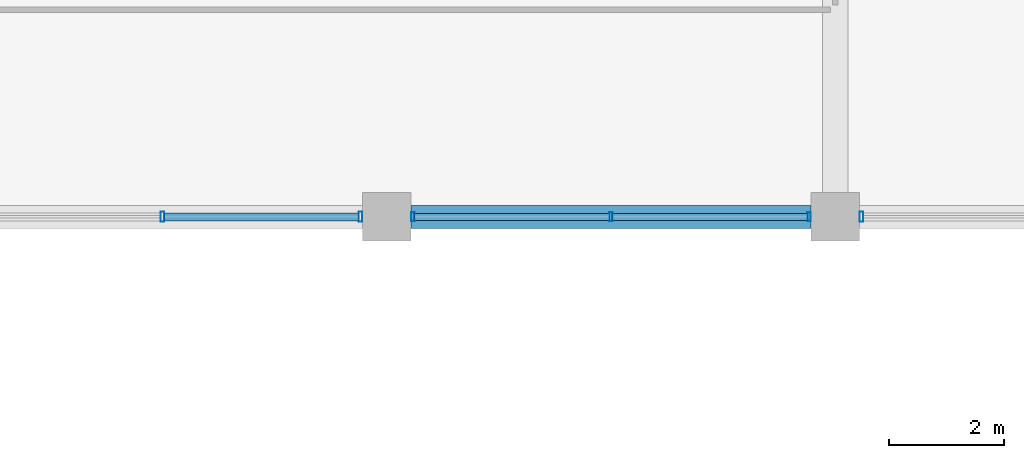
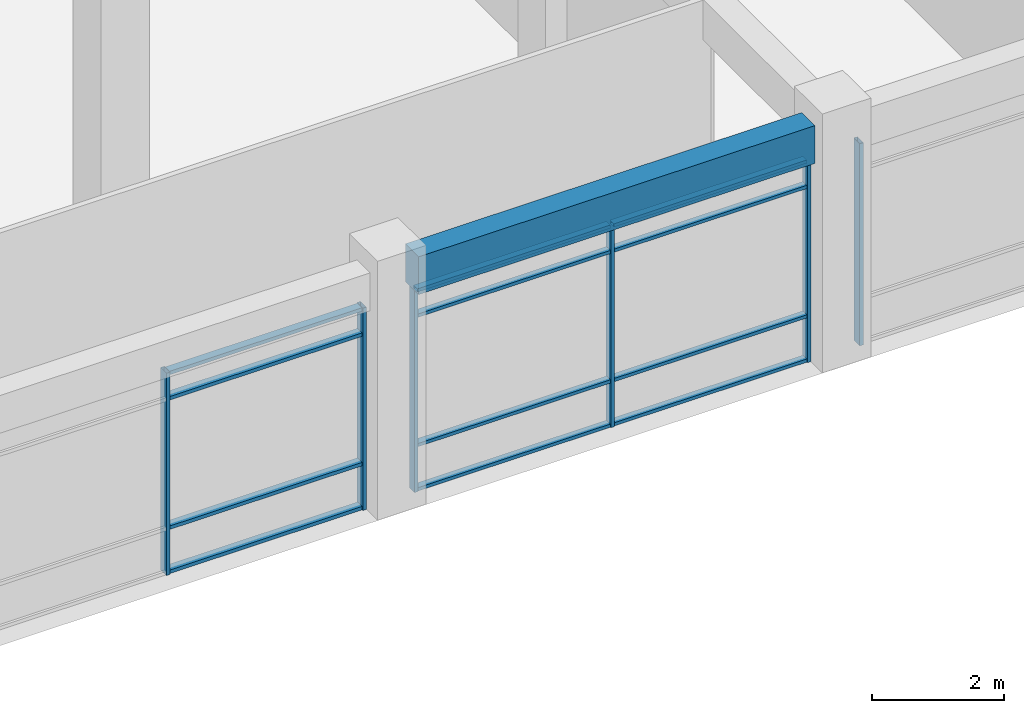
# One storey, part 27 of 79: 18 members, 1 beam, 3 elements without a shape of their own.
"""IFC4 building model written with IfcOpenShell, lengths in metres."""

import ifcopenshell
import ifcopenshell.guid

model = None  # the IFC model being written
_history = None  # IfcOwnerHistory: only IFC2X3 demands one
_inside = {}  # id of a spatial element -> (the spatial element, [elements in it])
_under = {}  # id of a project, library or spatial element -> (it, [spatial elements below it])
_declared = {}  # id of a project -> (the project, [libraries it declares])
_typed = {}  # id of a type object -> (the type object, [elements of that type])
_made_of = {}  # id of a material, layer set ... -> (it, [elements and type objects made of it])


def new_model(schema):
    """Start an empty IFC model of exactly this schema.

    Asked for "IFC4X3", IfcOpenShell would pick the latest addendum, in which some entities
    have other attributes; the version numbers below select the first issue.
    IFC2X3 requires an IfcOwnerHistory on every rooted entity: one is made here for all.
    """
    global model, _history
    if schema == "IFC4X3":
        model = ifcopenshell.file(schema_version=(4, 3, 0, 0))
    else:
        model = ifcopenshell.file(schema=schema)
    _inside.clear()
    _under.clear()
    _declared.clear()
    _typed.clear()
    _made_of.clear()
    _history = None
    if model.schema == "IFC2X3":
        org = make("IfcOrganization", Name="unknown")
        user = make(
            "IfcPersonAndOrganization",
            ThePerson=make("IfcPerson", FamilyName="unknown"),
            TheOrganization=org,
        )
        app = make(
            "IfcApplication",
            ApplicationDeveloper=org,
            Version="unknown",
            ApplicationFullName="unknown",
            ApplicationIdentifier="unknown",
        )
        _history = make(
            "IfcOwnerHistory",
            OwningUser=user,
            OwningApplication=app,
            ChangeAction="ADDED",
            CreationDate=0,
        )
    return model


def make(cls, **values):
    """One entity of the class cls with the attributes given. An attribute that is None is left unset."""
    return model.create_entity(
        cls, **{name: value for name, value in values.items() if value is not None}
    )


def rooted(cls, **values):
    """An entity with a GlobalId (a new one), such as an element, a storey or a relation."""
    return make(cls, GlobalId=ifcopenshell.guid.new(), OwnerHistory=_history, **values)


def si_unit(unit_type, name, prefix=None):
    """IfcSIUnit, for example si_unit("LENGTHUNIT", "METRE", prefix="MILLI")."""
    return make("IfcSIUnit", UnitType=unit_type, Prefix=prefix, Name=name)


def assignment(units):
    """IfcUnitAssignment: the units of a project."""
    return None if units is None else make("IfcUnitAssignment", Units=units)


def point(xyz):
    """IfcCartesianPoint."""
    return None if xyz is None else make("IfcCartesianPoint", Coordinates=xyz)


def direction(xyz):
    """IfcDirection."""
    return None if xyz is None else make("IfcDirection", DirectionRatios=xyz)


def frame(location, z_axis=None, x_axis=None):
    """IfcAxis2Placement3D, a coordinate frame: its origin and axes. An axis left out is left unset."""
    return make(
        "IfcAxis2Placement3D",
        Location=point(location),
        Axis=direction(z_axis),
        RefDirection=direction(x_axis),
    )


def frame_2d(location, x_axis=None):
    """IfcAxis2Placement2D, a coordinate frame in the plane: its origin and x axis."""
    return make(
        "IfcAxis2Placement2D", Location=point(location), RefDirection=direction(x_axis)
    )


def origin():
    """The frame at (0, 0, 0) with its axes left unset."""
    return frame((0.0, 0.0, 0.0))


def origin_2d():
    """The frame at (0, 0) in the plane with its x axis left unset."""
    return frame_2d((0.0, 0.0))


def place(relative_to, where):
    """IfcLocalPlacement: puts the frame where relative to a parent placement (None: the world)."""
    return make(
        "IfcLocalPlacement", PlacementRelTo=relative_to, RelativePlacement=where
    )


def context(
    kind, dimensions, precision=None, world=None, true_north=None, identifier=None
):
    """IfcGeometricRepresentationContext, for example the 3D "Model" context."""
    return make(
        "IfcGeometricRepresentationContext",
        ContextIdentifier=identifier,
        ContextType=kind,
        CoordinateSpaceDimension=dimensions,
        Precision=precision,
        WorldCoordinateSystem=world,
        TrueNorth=true_north,
    )


def subcontext(parent, identifier, kind, view, scale=None):
    """IfcGeometricRepresentationSubContext, for example "Body" below "Model"."""
    return make(
        "IfcGeometricRepresentationSubContext",
        ContextIdentifier=identifier,
        ContextType=kind,
        ParentContext=parent,
        TargetScale=scale,
        TargetView=view,
    )


def project(units=None, contexts=None):
    """IfcProject with its units and contexts."""
    return rooted(
        "IfcProject",
        Name="project",
        RepresentationContexts=contexts,
        UnitsInContext=assignment(units),
    )


def spatial(cls, under=None, at=None, **own):
    """A site, building, storey or space (cls), placed at a placement, below another one or the project."""
    s = rooted(cls, ObjectPlacement=at, **own)
    if under is not None:
        _under.setdefault(under.id(), (under, []))[1].append(s)
    return s


def profile(cls, at=None, kind="AREA", **sizes):
    """A parametric profile (cls). Its sizes go by their IFC names, for example OverallWidth=200.0."""
    return make(cls, ProfileType=kind, Position=at, **sizes)


def rectangle(**sizes):
    """IfcRectangleProfileDef."""
    return profile("IfcRectangleProfileDef", **sizes)


def hollow_rectangle(**sizes):
    """IfcRectangleHollowProfileDef."""
    return profile("IfcRectangleHollowProfileDef", **sizes)


def extrude(swept, where, along, depth):
    """IfcExtrudedAreaSolid: the profile swept, set in the frame where, extruded along a direction by depth."""
    return make(
        "IfcExtrudedAreaSolid",
        SweptArea=swept,
        Position=where,
        ExtrudedDirection=direction(along),
        Depth=depth,
    )


def shape(context_of_items, identifier, shape_type, items):
    """IfcShapeRepresentation: the items that make up one representation, for example the "Body"."""
    return make(
        "IfcShapeRepresentation",
        ContextOfItems=context_of_items,
        RepresentationIdentifier=identifier,
        RepresentationType=shape_type,
        Items=items,
    )


def material(Name=None, Category=None):
    """IfcMaterial."""
    return make("IfcMaterial", Name=Name, Category=Category)


def material_profile(
    of_material, cross_section, Name=None, Category=None, Priority=None
):
    """IfcMaterialProfile: a cross section and its material."""
    return make(
        "IfcMaterialProfile",
        Name=Name,
        Material=of_material,
        Profile=cross_section,
        Priority=Priority,
        Category=Category,
    )


def profile_set(profiles, Name=None, composite=None):
    """IfcMaterialProfileSet."""
    return make(
        "IfcMaterialProfileSet",
        Name=Name,
        MaterialProfiles=profiles,
        CompositeProfile=composite,
    )


def made_of(thing, what):
    """Note that an element or type object is made of a material, layer set ...; save() writes the relation."""
    if what is not None:
        _made_of.setdefault(what.id(), (what, []))[1].append(thing)
    return thing


def type_object(cls, material=None, **own):
    """A type object (cls), such as IfcWallType, which elements share."""
    return made_of(rooted(cls, **own), material)


def element(
    cls,
    number,
    at=None,
    inside=None,
    cuts=None,
    type_object=None,
    material=None,
    context=None,
    identifier="Body",
    shape_type=None,
    held_by="IfcProductDefinitionShape",
    body=None,
    shapes=None,
    **own,
):
    """One element of the class cls, such as IfcWall. Its Tag is "e" and its number.

    at: its placement. inside: the storey or other place that contains it. cuts: it is an
    opening in that element (IfcRelVoidsElement). A single representation is given by context,
    identifier, shape_type and body (its items); several are given by shapes. held_by: the class
    of the entity that holds the representations. save() writes the other relations.
    """
    e = rooted(cls, Tag="e%d" % number, ObjectPlacement=at, **own)
    if body is not None:
        shapes = [shape(context, identifier, shape_type, body)]
    if shapes is not None:
        e.Representation = make(held_by, Representations=shapes)
    if inside is not None:
        _inside.setdefault(inside.id(), (inside, []))[1].append(e)
    if cuts is not None:
        rooted(
            "IfcRelVoidsElement", RelatingBuildingElement=cuts, RelatedOpeningElement=e
        )
    if type_object is not None:
        _typed.setdefault(type_object.id(), (type_object, []))[1].append(e)
    return made_of(e, material)


def aggregate(whole, parts):
    """IfcRelAggregates: a whole, such as a stair, and the parts it consists of."""
    return rooted("IfcRelAggregates", RelatingObject=whole, RelatedObjects=parts)


def save(model, path):
    """Write the relations noted so far, then the file.

    IfcRelAggregates (storeys below a building ...), IfcRelContainedInSpatialStructure (elements
    in a storey), IfcRelDefinesByType, IfcRelAssociatesMaterial and IfcRelDeclares: one each for
    every whole, place, type object, material and project.
    """
    for whole, parts in _under.values():
        aggregate(whole, parts)
    for where, things in _inside.values():
        rooted(
            "IfcRelContainedInSpatialStructure",
            RelatedElements=things,
            RelatingStructure=where,
        )
    for kind, things in _typed.values():
        rooted("IfcRelDefinesByType", RelatedObjects=things, RelatingType=kind)
    for what, things in _made_of.values():
        rooted("IfcRelAssociatesMaterial", RelatedObjects=things, RelatingMaterial=what)
    for by, libraries in _declared.values():
        rooted("IfcRelDeclares", RelatingContext=by, RelatedDefinitions=libraries)
    model.write(path)


model = new_model("IFC4")

# Units and contexts
model_context = context("Model", 3, precision=1e-05, world=origin(), true_north=direction((0.0, 1.0)))
body_context = subcontext(model_context, "Body", "Model", "MODEL_VIEW")
ifc_project = project(units=[si_unit("LENGTHUNIT", "METRE"), si_unit("AREAUNIT", "SQUARE_METRE"), si_unit("VOLUMEUNIT", "CUBIC_METRE"), si_unit("PLANEANGLEUNIT", "RADIAN"), si_unit("MASSUNIT", "GRAM", prefix="KILO"), si_unit("THERMODYNAMICTEMPERATUREUNIT", "KELVIN"), si_unit("POWERUNIT", "WATT")], contexts=[model_context])

# Site, building, storey
site_placement = place(None, origin())
site = spatial("IfcSite", under=ifc_project, at=site_placement, CompositionType="ELEMENT")
building_placement = place(site_placement, origin())
building = spatial("IfcBuilding", under=site, at=building_placement, Name="Srebrne Nadtorze General Hospital", CompositionType="ELEMENT")
storey_placement = place(building_placement, frame((0.0, 0.0, 4.800048828125)))
storey = spatial("IfcBuildingStorey", under=building, at=storey_placement, Name="L01", CompositionType="ELEMENT", Elevation=4.800048828125)

# Curtain wall, members
ifc_material_1 = material(Name="Anodised Aluminium", Category="aluminium")
curtain_wall_type = type_object("IfcCurtainWallType", Name="Unitised curtain wall 6950x3750", PredefinedType="NOTDEFINED", material=ifc_material_1)
curtain_wall_1_placement = place(storey_placement, origin())
curtain_wall_1 = element("IfcCurtainWall", 1, at=curtain_wall_1_placement, inside=storey, type_object=curtain_wall_type, Name="Curtain wall CW-052", PredefinedType="NOTDEFINED")
ifc_material_2 = material(Name="Anodised Aluminium", Category="aluminium")
ifc_material_profile_1 = material_profile(ifc_material_2, hollow_rectangle(XDim=0.06005859375, YDim=0.14990234375, WallThickness=0.00390625, at=origin_2d()), Name="AL-MUL-60x150")
ifc_profile_set_1 = profile_set([ifc_material_profile_1], Name="Anodised Aluminium")
member_type_1 = type_object("IfcMemberType", Name="Curtain mullion 60x150", PredefinedType="MULLION", material=ifc_profile_set_1)
member_1_placement = place(storey_placement, frame((70.655029296875, 50.39990234375, 0.0), z_axis=(0.0, 0.0, 1.0), x_axis=(1.0, 0.0, 0.0)))
member_1 = element("IfcMember", 2, at=member_1_placement, type_object=member_type_1, Name="CW-052 mullion 1", PredefinedType="MULLION", context=body_context, shape_type="SweptSolid", body=[
    extrude(hollow_rectangle(XDim=0.06005859375, YDim=0.14990234375, WallThickness=0.00390625, at=origin_2d()), origin(), (0.0, 0.0, 1.0), 3.75),
])
member_2_placement = place(storey_placement, frame((74.10009765625, 50.39990234375, 0.0), z_axis=(0.0, 0.0, 1.0), x_axis=(1.0, 0.0, 0.0)))
member_2 = element("IfcMember", 3, at=member_2_placement, type_object=member_type_1, Name="CW-052 mullion 2", PredefinedType="MULLION", context=body_context, shape_type="SweptSolid", body=[
    extrude(hollow_rectangle(XDim=0.06005859375, YDim=0.14990234375, WallThickness=0.00390625, at=origin_2d()), origin(), (0.0, 0.0, 1.0), 3.75),
])
member_3_placement = place(storey_placement, frame((77.544921875, 50.39990234375, 0.0), z_axis=(0.0, 0.0, 1.0), x_axis=(1.0, 0.0, 0.0)))
member_3 = element("IfcMember", 4, at=member_3_placement, type_object=member_type_1, Name="CW-052 mullion 3", PredefinedType="MULLION", context=body_context, shape_type="SweptSolid", body=[
    extrude(hollow_rectangle(XDim=0.06005859375, YDim=0.14990234375, WallThickness=0.00390625, at=origin_2d()), origin(), (0.0, 0.0, 1.0), 3.75),
])

curtain_wall_2_placement = place(storey_placement, origin())
curtain_wall_2 = element("IfcCurtainWall", 5, at=curtain_wall_2_placement, inside=storey, type_object=curtain_wall_type, Name="Curtain wall CW-051", PredefinedType="NOTDEFINED")
ifc_material_3 = material(Name="Anodised Aluminium", Category="aluminium")
ifc_material_profile_2 = material_profile(ifc_material_3, hollow_rectangle(XDim=0.06494140625, YDim=0.179931640625, WallThickness=0.00390625, at=origin_2d()), Name="AL-MUL-65x180")
ifc_profile_set_2 = profile_set([ifc_material_profile_2], Name="Anodised Aluminium")
member_type_2 = type_object("IfcMemberType", Name="Curtain mullion 65x180", PredefinedType="MULLION", material=ifc_profile_set_2)
member_4_placement = place(storey_placement, frame((66.300048828125, 50.39990234375, 0.0), z_axis=(0.0, 0.0, 1.0), x_axis=(1.0, 0.0, 0.0)))
member_4 = element("IfcMember", 6, at=member_4_placement, type_object=member_type_2, Name="CW-051 mullion 2", PredefinedType="MULLION", context=body_context, shape_type="SweptSolid", body=[
    extrude(hollow_rectangle(XDim=0.06494140625, YDim=0.179931640625, WallThickness=0.00390625, at=origin_2d()), origin(), (0.0, 0.0, 1.0), 3.75),
])
member_5_placement = place(storey_placement, frame((69.742431640625, 50.39990234375, 0.0), z_axis=(0.0, 0.0, 1.0), x_axis=(1.0, 0.0, 0.0)))
member_5 = element("IfcMember", 7, at=member_5_placement, type_object=member_type_2, Name="CW-051 mullion 3", PredefinedType="MULLION", context=body_context, shape_type="SweptSolid", body=[
    extrude(hollow_rectangle(XDim=0.06494140625, YDim=0.179931640625, WallThickness=0.00390625, at=origin_2d()), origin(), (0.0, 0.0, 1.0), 3.75),
])

# Curtain wall, member
curtain_wall_3_placement = place(storey_placement, origin())
curtain_wall_3 = element("IfcCurtainWall", 8, at=curtain_wall_3_placement, inside=storey, type_object=curtain_wall_type, Name="Curtain wall CW-053", PredefinedType="NOTDEFINED")
member_6_placement = place(storey_placement, frame((78.45751953125, 50.39990234375, 0.0), z_axis=(0.0, 0.0, 1.0), x_axis=(1.0, 0.0, 0.0)))
member_6 = element("IfcMember", 9, at=member_6_placement, type_object=member_type_2, Name="CW-053 mullion 1", PredefinedType="MULLION", context=body_context, shape_type="SweptSolid", body=[
    extrude(hollow_rectangle(XDim=0.06494140625, YDim=0.179931640625, WallThickness=0.00390625, at=origin_2d()), origin(), (0.0, 0.0, 1.0), 3.75),
])
aggregate(curtain_wall_3, [member_6])

# Member
ifc_material_4 = material(Name="Anodised Aluminium", Category="aluminium")
ifc_material_profile_3 = material_profile(ifc_material_4, hollow_rectangle(XDim=0.06005859375, YDim=0.1201171875, WallThickness=0.00390625, at=origin_2d()), Name="AL-TRN-60x120")
ifc_profile_set_3 = profile_set([ifc_material_profile_3], Name="Anodised Aluminium")
member_type_3 = type_object("IfcMemberType", Name="Curtain transom 60x120", PredefinedType="USERDEFINED", material=ifc_profile_set_3)
member_7_placement = place(storey_placement, frame((70.68505859375, 50.39990234375, 0.030029296875), z_axis=(1.0, 0.0, 0.0), x_axis=(0.0, 0.0, 1.0)))
member_7 = element("IfcMember", 10, at=member_7_placement, type_object=member_type_3, Name="CW-052 transom 1.1", ObjectType="TRANSOM", PredefinedType="USERDEFINED", context=body_context, shape_type="SweptSolid", body=[
    extrude(hollow_rectangle(XDim=0.06005859375, YDim=0.1201171875, WallThickness=0.00390625, at=origin_2d()), origin(), (0.0, 0.0, 1.0), 3.385009765625),
])

member_8_placement = place(storey_placement, frame((70.68505859375, 50.39990234375, 0.849853515625), z_axis=(1.0, 0.0, 0.0), x_axis=(0.0, 0.0, 1.0)))
member_8 = element("IfcMember", 11, at=member_8_placement, type_object=member_type_3, Name="CW-052 transom 1.2", ObjectType="TRANSOM", PredefinedType="USERDEFINED", context=body_context, shape_type="SweptSolid", body=[
    extrude(hollow_rectangle(XDim=0.06005859375, YDim=0.1201171875, WallThickness=0.00390625, at=origin_2d()), origin(), (0.0, 0.0, 1.0), 3.385009765625),
])

member_9_placement = place(storey_placement, frame((70.68505859375, 50.39990234375, 3.25), z_axis=(1.0, 0.0, 0.0), x_axis=(0.0, 0.0, 1.0)))
member_9 = element("IfcMember", 12, at=member_9_placement, type_object=member_type_3, Name="CW-052 transom 1.3", ObjectType="TRANSOM", PredefinedType="USERDEFINED", context=body_context, shape_type="SweptSolid", body=[
    extrude(hollow_rectangle(XDim=0.06005859375, YDim=0.1201171875, WallThickness=0.00390625, at=origin_2d()), origin(), (0.0, 0.0, 1.0), 3.385009765625),
])

member_10_placement = place(storey_placement, frame((70.68505859375, 50.39990234375, 3.719970703125), z_axis=(1.0, 0.0, 0.0), x_axis=(0.0, 0.0, 1.0)))
member_10 = element("IfcMember", 13, at=member_10_placement, type_object=member_type_3, Name="CW-052 transom 1.4", ObjectType="TRANSOM", PredefinedType="USERDEFINED", context=body_context, shape_type="SweptSolid", body=[
    extrude(hollow_rectangle(XDim=0.06005859375, YDim=0.1201171875, WallThickness=0.00390625, at=origin_2d()), origin(), (0.0, 0.0, 1.0), 3.385009765625),
])

member_11_placement = place(storey_placement, frame((74.1298828125, 50.39990234375, 0.030029296875), z_axis=(1.0, 0.0, 0.0), x_axis=(0.0, 0.0, 1.0)))
member_11 = element("IfcMember", 14, at=member_11_placement, type_object=member_type_3, Name="CW-052 transom 2.1", ObjectType="TRANSOM", PredefinedType="USERDEFINED", context=body_context, shape_type="SweptSolid", body=[
    extrude(hollow_rectangle(XDim=0.06005859375, YDim=0.1201171875, WallThickness=0.00390625, at=origin_2d()), origin(), (0.0, 0.0, 1.0), 3.385009765625),
])

member_12_placement = place(storey_placement, frame((74.1298828125, 50.39990234375, 0.849853515625), z_axis=(1.0, 0.0, 0.0), x_axis=(0.0, 0.0, 1.0)))
member_12 = element("IfcMember", 15, at=member_12_placement, type_object=member_type_3, Name="CW-052 transom 2.2", ObjectType="TRANSOM", PredefinedType="USERDEFINED", context=body_context, shape_type="SweptSolid", body=[
    extrude(hollow_rectangle(XDim=0.06005859375, YDim=0.1201171875, WallThickness=0.00390625, at=origin_2d()), origin(), (0.0, 0.0, 1.0), 3.385009765625),
])

member_13_placement = place(storey_placement, frame((74.1298828125, 50.39990234375, 3.25), z_axis=(1.0, 0.0, 0.0), x_axis=(0.0, 0.0, 1.0)))
member_13 = element("IfcMember", 16, at=member_13_placement, type_object=member_type_3, Name="CW-052 transom 2.3", ObjectType="TRANSOM", PredefinedType="USERDEFINED", context=body_context, shape_type="SweptSolid", body=[
    extrude(hollow_rectangle(XDim=0.06005859375, YDim=0.1201171875, WallThickness=0.00390625, at=origin_2d()), origin(), (0.0, 0.0, 1.0), 3.385009765625),
])

member_14_placement = place(storey_placement, frame((74.1298828125, 50.39990234375, 3.719970703125), z_axis=(1.0, 0.0, 0.0), x_axis=(0.0, 0.0, 1.0)))
member_14 = element("IfcMember", 17, at=member_14_placement, type_object=member_type_3, Name="CW-052 transom 2.4", ObjectType="TRANSOM", PredefinedType="USERDEFINED", context=body_context, shape_type="SweptSolid", body=[
    extrude(hollow_rectangle(XDim=0.06005859375, YDim=0.1201171875, WallThickness=0.00390625, at=origin_2d()), origin(), (0.0, 0.0, 1.0), 3.385009765625),
])

aggregate(curtain_wall_1, [member_1, member_2, member_3, member_7, member_8, member_9, member_10, member_11, member_12, member_13, member_14])

ifc_material_5 = material(Name="Anodised Aluminium", Category="aluminium")
ifc_material_profile_4 = material_profile(ifc_material_5, hollow_rectangle(XDim=0.06494140625, YDim=0.139892578125, WallThickness=0.00390625, at=origin_2d()), Name="AL-TRN-65x140")
ifc_profile_set_4 = profile_set([ifc_material_profile_4], Name="Anodised Aluminium")
member_type_4 = type_object("IfcMemberType", Name="Curtain transom 65x140", PredefinedType="USERDEFINED", material=ifc_profile_set_4)
member_15_placement = place(storey_placement, frame((66.33251953125, 50.39990234375, 0.032470703125), z_axis=(1.0, 0.0, 0.0), x_axis=(0.0, 0.0, 1.0)))
member_15 = element("IfcMember", 18, at=member_15_placement, type_object=member_type_4, Name="CW-051 transom 2.1", ObjectType="TRANSOM", PredefinedType="USERDEFINED", context=body_context, shape_type="SweptSolid", body=[
    extrude(hollow_rectangle(XDim=0.06494140625, YDim=0.139892578125, WallThickness=0.00390625, at=origin_2d()), origin(), (0.0, 0.0, 1.0), 3.37744140625),
])

member_16_placement = place(storey_placement, frame((66.33251953125, 50.39990234375, 0.849853515625), z_axis=(1.0, 0.0, 0.0), x_axis=(0.0, 0.0, 1.0)))
member_16 = element("IfcMember", 19, at=member_16_placement, type_object=member_type_4, Name="CW-051 transom 2.2", ObjectType="TRANSOM", PredefinedType="USERDEFINED", context=body_context, shape_type="SweptSolid", body=[
    extrude(hollow_rectangle(XDim=0.06494140625, YDim=0.139892578125, WallThickness=0.00390625, at=origin_2d()), origin(), (0.0, 0.0, 1.0), 3.37744140625),
])

member_17_placement = place(storey_placement, frame((66.33251953125, 50.39990234375, 3.25), z_axis=(1.0, 0.0, 0.0), x_axis=(0.0, 0.0, 1.0)))
member_17 = element("IfcMember", 20, at=member_17_placement, type_object=member_type_4, Name="CW-051 transom 2.3", ObjectType="TRANSOM", PredefinedType="USERDEFINED", context=body_context, shape_type="SweptSolid", body=[
    extrude(hollow_rectangle(XDim=0.06494140625, YDim=0.139892578125, WallThickness=0.00390625, at=origin_2d()), origin(), (0.0, 0.0, 1.0), 3.37744140625),
])

member_18_placement = place(storey_placement, frame((66.33251953125, 50.39990234375, 3.717529296875), z_axis=(1.0, 0.0, 0.0), x_axis=(0.0, 0.0, 1.0)))
member_18 = element("IfcMember", 21, at=member_18_placement, type_object=member_type_4, Name="CW-051 transom 2.4", ObjectType="TRANSOM", PredefinedType="USERDEFINED", context=body_context, shape_type="SweptSolid", body=[
    extrude(hollow_rectangle(XDim=0.06494140625, YDim=0.139892578125, WallThickness=0.00390625, at=origin_2d()), origin(), (0.0, 0.0, 1.0), 3.37744140625),
])

aggregate(curtain_wall_2, [member_4, member_5, member_15, member_16, member_17, member_18])

# Beam
ifc_material_6 = material(Name="Concrete C40/50", Category="concrete")
ifc_material_profile_5 = material_profile(ifc_material_6, rectangle(XDim=0.39990234375, YDim=0.699951171875, at=origin_2d()), Name="RC-BM-400x700")
ifc_profile_set_5 = profile_set([ifc_material_profile_5], Name="Concrete C40/50")
beam_type = type_object("IfcBeamType", Name="Edge beam RC 400x700", PredefinedType="BEAM", material=ifc_profile_set_5)
beam_placement = place(storey_placement, frame((70.625, 50.39990234375, 4.099853515625), z_axis=(1.0, 0.0, 0.0), x_axis=(0.0, 1.0, 0.0)))
element("IfcBeam", 22, at=beam_placement, inside=storey, type_object=beam_type, Name="Beam BM-L01-X-0414", PredefinedType="BEAM", context=body_context, shape_type="SweptSolid", body=[
    extrude(rectangle(XDim=0.39990234375, YDim=0.699951171875, at=origin_2d()), origin(), (0.0, 0.0, 1.0), 6.949951171875),
])

save(model, "model.ifc")
